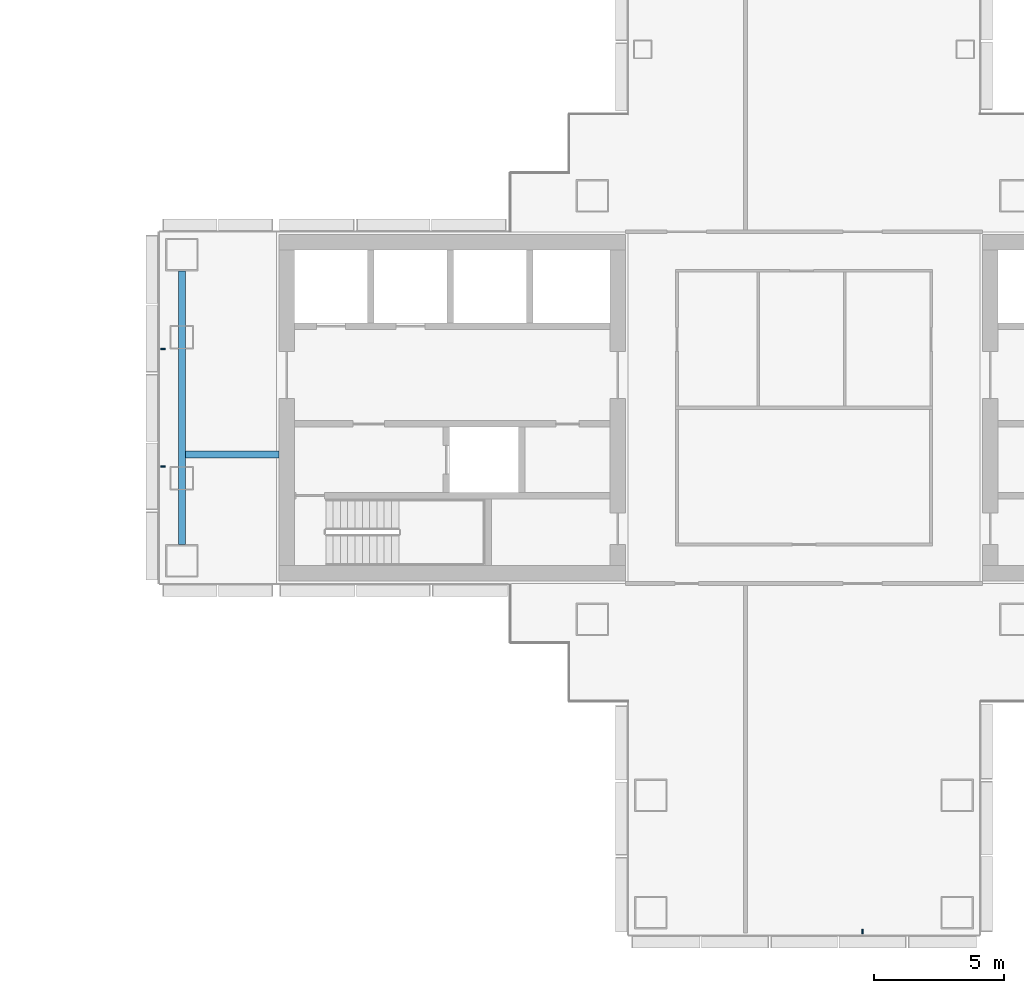
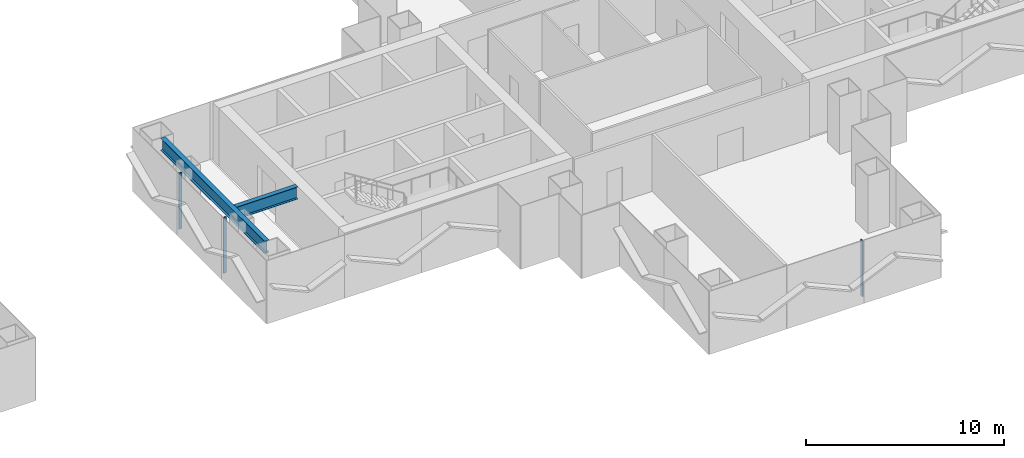
# One storey, part 6 of 20: 3 members, 2 beams, 2 elements without a shape of their own.
"""IFC4 building model written with IfcOpenShell, lengths in metres."""

from ifc_helpers import new_model, si_unit, direction, frame, origin, origin_2d, place, context, subcontext, project, spatial, rectangle, i_section, extrude, material, layer, layer_set, material_profile, profile_set, type_object, element, aggregate, save


model = new_model("IFC4")

# Units and contexts
model_context = context("Model", 3, precision=1e-05, world=origin(), true_north=direction((0.0, 1.0)))
body_context = subcontext(model_context, "Body", "Model", "MODEL_VIEW")
ifc_project = project(units=[si_unit("LENGTHUNIT", "METRE"), si_unit("AREAUNIT", "SQUARE_METRE"), si_unit("VOLUMEUNIT", "CUBIC_METRE"), si_unit("PLANEANGLEUNIT", "RADIAN"), si_unit("MASSUNIT", "GRAM", prefix="KILO")], contexts=[model_context])

# Site, building, storey
site_placement = place(None, origin())
site = spatial("IfcSite", under=ifc_project, at=site_placement, CompositionType="ELEMENT")
building_placement = place(site_placement, origin())
building = spatial("IfcBuilding", under=site, at=building_placement, Name="Shamsa Quay Exchange Towers", CompositionType="ELEMENT")
storey_placement = place(building_placement, frame((0.0, 0.0, 105.300048828125)))
storey = spatial("IfcBuildingStorey", under=building, at=storey_placement, Name="L24", CompositionType="ELEMENT", Elevation=105.300048828125)

# Curtain wall, members
ifc_material_1 = material(Name="Aluminium EN AW-6063 T6, black anodised", Category="aluminium")
ifc_layer = layer(ifc_material_1, 0.280029296875)
ifc_layer_set = layer_set([ifc_layer], Name="CW-1 UNITISED VISION GLASS")
curtain_wall_type = type_object("IfcCurtainWallType", Name="CW-1 UNITISED VISION GLASS", PredefinedType="NOTDEFINED", material=ifc_layer_set)
curtain_wall_1_placement = place(storey_placement, origin())
curtain_wall_1 = element("IfcCurtainWall", 1, at=curtain_wall_1_placement, inside=storey, type_object=curtain_wall_type, Name="CW1 T2-END-V+ L24", PredefinedType="NOTDEFINED")
ifc_material_profile_1 = material_profile(ifc_material_1, rectangle(XDim=0.179931640625, YDim=0.06005859375, at=origin_2d()), Name="MU60x180")
ifc_profile_set_1 = profile_set([ifc_material_profile_1], Name="Aluminium EN AW-6063 T6, black anodised")
member_type = type_object("IfcMemberType", Name="CW1 MULLION 60x180", PredefinedType="MULLION", material=ifc_profile_set_1)
member_1_placement = place(storey_placement, frame((9.14990234375, 2.25, 0.0)))
member_1 = element("IfcMember", 2, at=member_1_placement, type_object=member_type, Name="CW1 mullion", PredefinedType="MULLION", context=body_context, shape_type="SweptSolid", body=[
    extrude(rectangle(XDim=0.179931640625, YDim=0.06005859375, at=origin_2d()), origin(), (0.0, 0.0, 1.0), 3.449951171875),
])
member_2_placement = place(storey_placement, frame((9.14990234375, -2.25, 0.0)))
member_2 = element("IfcMember", 3, at=member_2_placement, type_object=member_type, Name="CW1 mullion", PredefinedType="MULLION", context=body_context, shape_type="SweptSolid", body=[
    extrude(rectangle(XDim=0.179931640625, YDim=0.06005859375, at=origin_2d()), origin(), (0.0, 0.0, 1.0), 3.449951171875),
])
aggregate(curtain_wall_1, [member_1, member_2])

# Curtain wall, member
curtain_wall_2_placement = place(storey_placement, origin())
curtain_wall_2 = element("IfcCurtainWall", 4, at=curtain_wall_2_placement, inside=storey, type_object=curtain_wall_type, Name="CW1 T2-END-U- L24", PredefinedType="NOTDEFINED")
member_3_placement = place(storey_placement, frame((36.0, -20.10009765625, 0.0), z_axis=(0.0, 0.0, 1.0), x_axis=(0.0, 1.0, 0.0)))
member_3 = element("IfcMember", 5, at=member_3_placement, type_object=member_type, Name="CW1 mullion", PredefinedType="MULLION", context=body_context, shape_type="SweptSolid", body=[
    extrude(rectangle(XDim=0.179931640625, YDim=0.06005859375, at=origin_2d()), origin(), (0.0, 0.0, 1.0), 3.449951171875),
])
aggregate(curtain_wall_2, [member_3])

# Beams
ifc_material_2 = material(Name="Steel S355", Category="steel")
ifc_material_profile_2 = material_profile(ifc_material_2, i_section(OverallWidth=0.26611328125, OverallDepth=0.7578125, WebThickness=0.013916015625, FlangeThickness=0.019287109375, at=origin_2d()), Name="W30x108")
ifc_profile_set_2 = profile_set([ifc_material_profile_2], Name="Steel S355")
beam_type = type_object("IfcBeamType", Name="End-zone beam W30x108", PredefinedType="BEAM", material=ifc_profile_set_2)
beam_1_placement = place(storey_placement, frame((9.875, -5.25, 3.171142578125), z_axis=(0.0, 1.0, 0.0), x_axis=(-1.0, 0.0, 0.0)))
element("IfcBeam", 6, at=beam_1_placement, inside=storey, type_object=beam_type, Name="End beam T2 V+ end zone L24", PredefinedType="BEAM", context=body_context, shape_type="SweptSolid", body=[
    extrude(i_section(OverallWidth=0.26611328125, OverallDepth=0.7578125, WebThickness=0.013916015625, FlangeThickness=0.019287109375, at=origin_2d()), origin(), (0.0, 0.0, 1.0), 10.5),
])
beam_2_placement = place(storey_placement, frame((13.60009765625, -1.800048828125, 3.171142578125), z_axis=(-1.0, 0.0, 0.0), x_axis=(0.0, -1.0, 0.0)))
element("IfcBeam", 7, at=beam_2_placement, inside=storey, type_object=beam_type, Name="Spine beam T2 V+ end zone L24", PredefinedType="BEAM", context=body_context, shape_type="SweptSolid", body=[
    extrude(i_section(OverallWidth=0.26611328125, OverallDepth=0.7578125, WebThickness=0.013916015625, FlangeThickness=0.019287109375, at=origin_2d()), origin(), (0.0, 0.0, 1.0), 3.592041015625),
])

save(model, "model.ifc")
